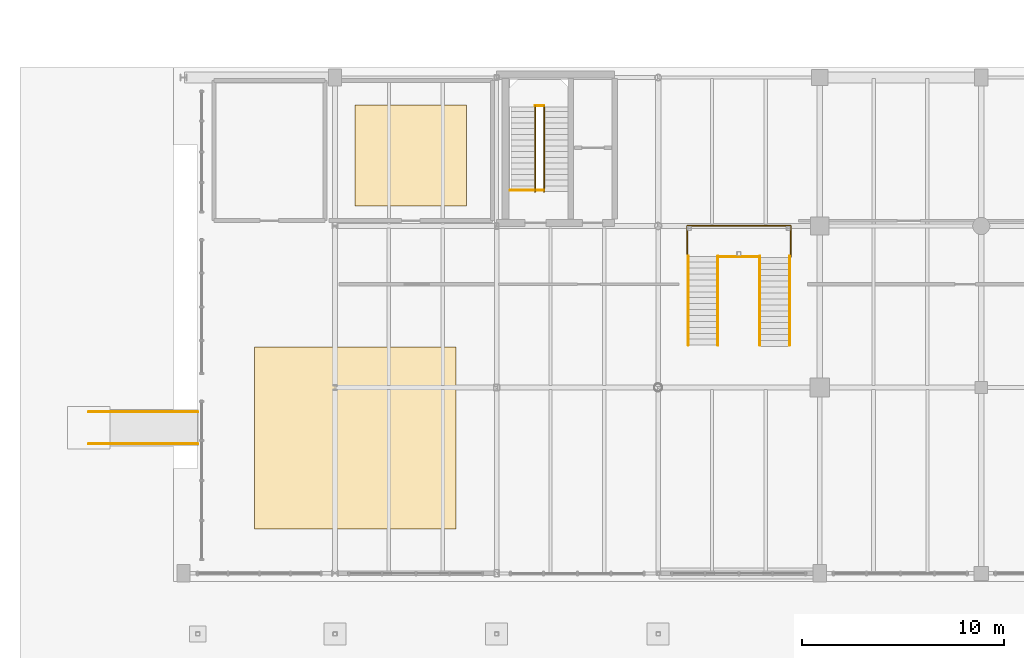
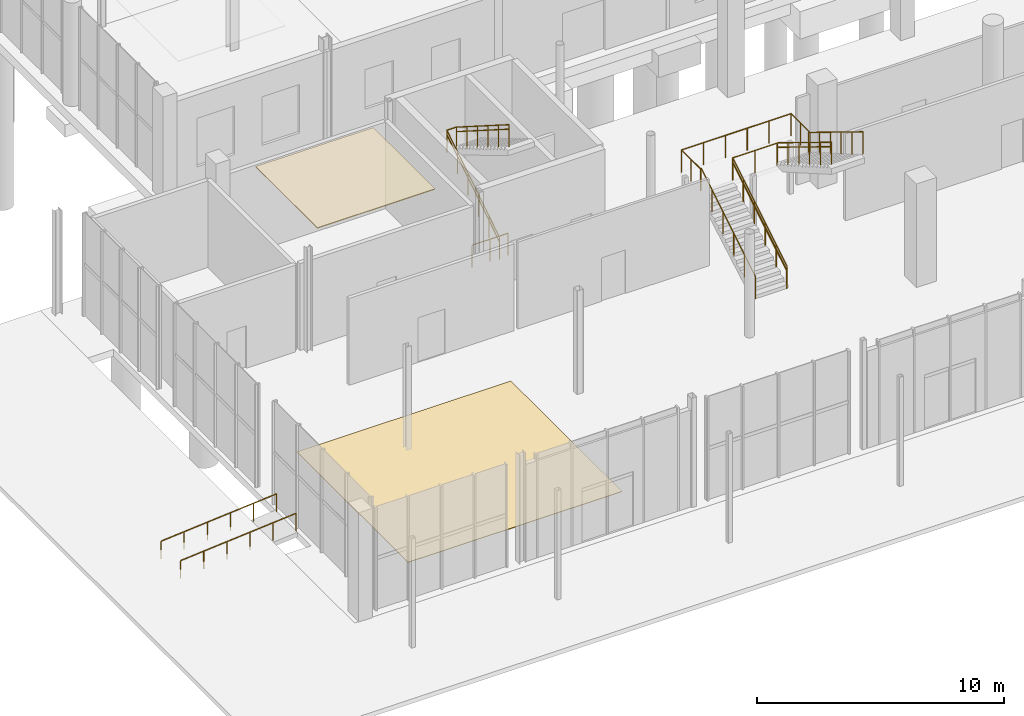
# One storey, part 78 of 87: 16 railings, 2 coverings.
"""IFC4 building model written with IfcOpenShell, lengths in metres."""

from ifc_helpers import new_model, si_unit, direction, frame, origin, origin_2d, place, context, subcontext, project, spatial, rectangle, circle, extrude, material, layer, layer_set, type_object, element, save


model = new_model("IFC4")

# Units and contexts
model_context = context("Model", 3, precision=1e-05, world=origin(), true_north=direction((0.0, 1.0)))
body_context = subcontext(model_context, "Body", "Model", "MODEL_VIEW")
ifc_project = project(units=[si_unit("LENGTHUNIT", "METRE"), si_unit("AREAUNIT", "SQUARE_METRE"), si_unit("VOLUMEUNIT", "CUBIC_METRE"), si_unit("PLANEANGLEUNIT", "RADIAN"), si_unit("MASSUNIT", "GRAM", prefix="KILO")], contexts=[model_context])

# Site, building, storey
site_placement = place(None, origin())
site = spatial("IfcSite", under=ifc_project, at=site_placement, CompositionType="ELEMENT")
building_placement = place(site_placement, origin())
building = spatial("IfcBuilding", under=site, at=building_placement, Name="Brisemont Oceanarium", CompositionType="ELEMENT")
storey_placement = place(building_placement, origin())
storey = spatial("IfcBuildingStorey", under=building, at=storey_placement, Name="L00", CompositionType="ELEMENT", Elevation=0.0)

# Coverings
ifc_material_1 = material(Name="Perforated Marine-Grade Acoustic Baffle Ceiling")
ifc_layer_1 = layer(ifc_material_1, 0.0400390625)
ifc_layer_set_1 = layer_set([ifc_layer_1], Name="Perforated Marine-Grade Acoustic Baffle Ceiling")
covering_type_1 = type_object("IfcCoveringType", Name="COV-CEIL-AC", PredefinedType="CEILING", material=ifc_layer_set_1)
covering_1_placement = place(storey_placement, frame((19.75, 27.5, 5.06005859375), z_axis=(0.0, 0.0, 1.0), x_axis=(1.0, 0.0, 0.0)))
element("IfcCovering", 1, at=covering_1_placement, inside=storey, type_object=covering_type_1, Name="Acoustic baffle ceiling CLG-V2-L00", PredefinedType="CEILING", context=body_context, shape_type="SweptSolid", body=[
    extrude(rectangle(XDim=5.5, YDim=5.0, at=origin_2d()), origin(), (0.0, 0.0, 1.0), 0.0400390625),
])
ifc_material_2 = material(Name="Epoxy-Bound Recycled Glass Marine Terrazzo", Category="glass")
ifc_layer_2 = layer(ifc_material_2, 0.02490234375)
ifc_layer_set_2 = layer_set([ifc_layer_2], Name="Epoxy-Bound Recycled Glass Marine Terrazzo")
covering_type_2 = type_object("IfcCoveringType", Name="COV-FLR-TER", PredefinedType="FLOORING", material=ifc_layer_set_2)
covering_2_placement = place(storey_placement, frame((17.0, 13.5, 0.0), z_axis=(0.0, 0.0, 1.0), x_axis=(1.0, 0.0, 0.0)))
element("IfcCovering", 2, at=covering_2_placement, inside=storey, type_object=covering_type_2, Name="Marine terrazzo flooring FLG-V2-FOYER", PredefinedType="FLOORING", context=body_context, shape_type="SweptSolid", body=[
    extrude(rectangle(XDim=10.0, YDim=9.0, at=origin_2d()), origin(), (0.0, 0.0, 1.0), 0.02490234375),
])

# Railings
ifc_material_3 = material(Name="Duplex Stainless Steel EN 1.4462", Category="steel")
railing_type_1 = type_object("IfcRailingType", Name="RLG-GUARD-1120", PredefinedType="GUARDRAIL", material=ifc_material_3)
railing_1_placement = place(storey_placement, frame((24.669921875, 25.760009765625, 0.0)))
element("IfcRailing", 3, at=railing_1_placement, inside=storey, type_object=railing_type_1, Name="ST-03 L00 landing edge guard", PredefinedType="GUARDRAIL", context=body_context, shape_type="SweptSolid", body=[
    extrude(circle(Radius=0.02392578125, at=origin_2d()), frame((0.0, 0.0, 1.09619140625), z_axis=(1.0, 0.0, 0.0), x_axis=(0.0, 1.0, 0.0)), (0.0, 0.0, 1.0), 1.68017578125),
    extrude(circle(Radius=0.02099609375, at=origin_2d()), origin(), (0.0, 0.0, 1.0), 1.072021484375),
    extrude(circle(Radius=0.02099609375, at=origin_2d()), frame((0.840087890625, 0.0, 0.0)), (0.0, 0.0, 1.0), 1.072021484375),
    extrude(circle(Radius=0.02099609375, at=origin_2d()), frame((1.68017578125, 0.0, 0.0)), (0.0, 0.0, 1.0), 1.072021484375),
])
railing_2_placement = place(storey_placement, frame((25.909912109375, 25.699951171875, 0.0)))
element("IfcRailing", 4, at=railing_2_placement, inside=storey, type_object=railing_type_1, Name="ST-03 L00 F1 well guard", PredefinedType="GUARDRAIL", context=body_context, shape_type="SweptSolid", body=[
    extrude(circle(Radius=0.02392578125, at=origin_2d()), frame((0.0, 0.0, 1.09619140625), z_axis=(0.0, 0.84407452441, 0.536225882666), x_axis=(-1.0, 0.0, 0.0)), (0.0, 0.0, 1.0), 5.03515625),
    extrude(circle(Radius=0.02099609375, at=origin_2d()), origin(), (0.0, 0.0, 1.0), 1.072021484375),
    extrude(circle(Radius=0.02099609375, at=origin_2d()), frame((0.0, 0.85009765625, 0.5400390625)), (0.0, 0.0, 1.0), 1.072021484375),
    extrude(circle(Radius=0.02099609375, at=origin_2d()), frame((0.0, 1.699951171875, 1.080078125)), (0.0, 0.0, 1.0), 1.072021484375),
    extrude(circle(Radius=0.02099609375, at=origin_2d()), frame((0.0, 2.550048828125, 1.619873046875)), (0.0, 0.0, 1.0), 1.072021484375),
    extrude(circle(Radius=0.02099609375, at=origin_2d()), frame((0.0, 3.39990234375, 2.159912109375)), (0.0, 0.0, 1.0), 1.072021484375),
    extrude(circle(Radius=0.02099609375, at=origin_2d()), frame((0.0, 4.25, 2.699951171875)), (0.0, 0.0, 1.0), 1.072021484375),
])
railing_3_placement = place(storey_placement, frame((26.35009765625, 29.949951171875, 2.699951171875)))
element("IfcRailing", 5, at=railing_3_placement, inside=storey, type_object=railing_type_1, Name="ST-03 L00 F2 well guard", PredefinedType="GUARDRAIL", context=body_context, shape_type="SweptSolid", body=[
    extrude(circle(Radius=0.02392578125, at=origin_2d()), frame((0.0, 0.0, 1.09619140625), z_axis=(0.0, -0.84407452441, 0.536225882666), x_axis=(1.0, 0.0, 0.0)), (0.0, 0.0, 1.0), 5.03515625),
    extrude(circle(Radius=0.02099609375, at=origin_2d()), origin(), (0.0, 0.0, 1.0), 1.072021484375),
    extrude(circle(Radius=0.02099609375, at=origin_2d()), frame((0.0, -0.85009765625, 0.5400390625)), (0.0, 0.0, 1.0), 1.072021484375),
    extrude(circle(Radius=0.02099609375, at=origin_2d()), frame((0.0, -1.699951171875, 1.080078125)), (0.0, 0.0, 1.0), 1.072021484375),
    extrude(circle(Radius=0.02099609375, at=origin_2d()), frame((0.0, -2.550048828125, 1.619873046875)), (0.0, 0.0, 1.0), 1.072021484375),
    extrude(circle(Radius=0.02099609375, at=origin_2d()), frame((0.0, -3.39990234375, 2.159912109375)), (0.0, 0.0, 1.0), 1.072021484375),
    extrude(circle(Radius=0.02099609375, at=origin_2d()), frame((0.0, -4.25, 2.699951171875)), (0.0, 0.0, 1.0), 1.072021484375),
])
railing_4_placement = place(storey_placement, frame((25.909912109375, 29.949951171875, 2.699951171875)))
element("IfcRailing", 6, at=railing_4_placement, inside=storey, type_object=railing_type_1, Name="ST-03 L00 landing slot guard", PredefinedType="GUARDRAIL", context=body_context, shape_type="SweptSolid", body=[
    extrude(circle(Radius=0.02392578125, at=origin_2d()), frame((0.0, 0.0, 1.09619140625), z_axis=(1.0, 0.0, 0.0), x_axis=(0.0, 1.0, 0.0)), (0.0, 0.0, 1.0), 0.440185546875),
    extrude(circle(Radius=0.02099609375, at=origin_2d()), origin(), (0.0, 0.0, 1.0), 1.072021484375),
    extrude(circle(Radius=0.02099609375, at=origin_2d()), frame((0.440185546875, 0.0, 0.0)), (0.0, 0.0, 1.0), 1.072021484375),
])
for number, where, name in (
    (7, (33.489990234375, 18.10009765625, 0.0), "ST-10 F1-OUT guard"),
    (8, (34.9599609375, 18.10009765625, 0.0), "ST-10 F1-IN guard"),
):
    element("IfcRailing", number, at=place(storey_placement, frame(where)), inside=storey, type_object=railing_type_1, Name=name, PredefinedType="GUARDRAIL", context=body_context, shape_type="SweptSolid", body=[
        extrude(circle(Radius=0.02392578125, at=origin_2d()), frame((0.0, 0.0, 1.09619140625), z_axis=(0.0, 0.852321770357, 0.52301778151), x_axis=(-1.0, 0.0, 0.0)), (0.0, 0.0, 1.0), 5.162353515625),
        extrude(circle(Radius=0.02099609375, at=origin_2d()), origin(), (0.0, 0.0, 1.0), 1.072021484375),
        extrude(circle(Radius=0.02099609375, at=origin_2d()), frame((0.0, 0.8798828125, 0.5400390625)), (0.0, 0.0, 1.0), 1.072021484375),
        extrude(circle(Radius=0.02099609375, at=origin_2d()), frame((0.0, 1.760009765625, 1.080078125)), (0.0, 0.0, 1.0), 1.072021484375),
        extrude(circle(Radius=0.02099609375, at=origin_2d()), frame((0.0, 2.639892578125, 1.619873046875)), (0.0, 0.0, 1.0), 1.072021484375),
        extrude(circle(Radius=0.02099609375, at=origin_2d()), frame((0.0, 3.52001953125, 2.159912109375)), (0.0, 0.0, 1.0), 1.072021484375),
        extrude(circle(Radius=0.02099609375, at=origin_2d()), frame((0.0, 4.39990234375, 2.699951171875)), (0.0, 0.0, 1.0), 1.072021484375),
    ])
for number, where, name in (
    (9, (37.0400390625, 22.5, 2.699951171875), "ST-10 F2-IN guard"),
    (10, (38.510009765625, 22.5, 2.699951171875), "ST-10 F2-OUT guard"),
):
    element("IfcRailing", number, at=place(storey_placement, frame(where)), inside=storey, type_object=railing_type_1, Name=name, PredefinedType="GUARDRAIL", context=body_context, shape_type="SweptSolid", body=[
        extrude(circle(Radius=0.02392578125, at=origin_2d()), frame((0.0, 0.0, 1.09619140625), z_axis=(0.0, -0.852321770357, 0.52301778151), x_axis=(1.0, 0.0, 0.0)), (0.0, 0.0, 1.0), 5.162353515625),
        extrude(circle(Radius=0.02099609375, at=origin_2d()), origin(), (0.0, 0.0, 1.0), 1.072021484375),
        extrude(circle(Radius=0.02099609375, at=origin_2d()), frame((0.0, -0.8798828125, 0.5400390625)), (0.0, 0.0, 1.0), 1.072021484375),
        extrude(circle(Radius=0.02099609375, at=origin_2d()), frame((0.0, -1.760009765625, 1.080078125)), (0.0, 0.0, 1.0), 1.072021484375),
        extrude(circle(Radius=0.02099609375, at=origin_2d()), frame((0.0, -2.639892578125, 1.619873046875)), (0.0, 0.0, 1.0), 1.072021484375),
        extrude(circle(Radius=0.02099609375, at=origin_2d()), frame((0.0, -3.52001953125, 2.159912109375)), (0.0, 0.0, 1.0), 1.072021484375),
        extrude(circle(Radius=0.02099609375, at=origin_2d()), frame((0.0, -4.39990234375, 2.699951171875)), (0.0, 0.0, 1.0), 1.072021484375),
    ])
railing_5_placement = place(storey_placement, frame((33.43994140625, 22.47998046875, 2.699951171875)))
element("IfcRailing", 11, at=railing_5_placement, inside=storey, type_object=railing_type_1, Name="ST-10 LND-U guard", PredefinedType="GUARDRAIL", context=body_context, shape_type="SweptSolid", body=[
    extrude(circle(Radius=0.02392578125, at=origin_2d()), frame((0.0, 0.0, 1.09619140625), z_axis=(0.0, 1.0, 0.0), x_axis=(-1.0, 0.0, 0.0)), (0.0, 0.0, 1.0), 1.52001953125),
    extrude(circle(Radius=0.02392578125, at=origin_2d()), frame((0.0, 1.52001953125, 1.09619140625), z_axis=(1.0, 0.0, 0.0), x_axis=(0.0, 1.0, 0.0)), (0.0, 0.0, 1.0), 5.1201171875),
    extrude(circle(Radius=0.02392578125, at=origin_2d()), frame((5.1201171875, 1.52001953125, 1.09619140625), z_axis=(0.0, -1.0, 0.0), x_axis=(1.0, 0.0, 0.0)), (0.0, 0.0, 1.0), 1.52001953125),
    extrude(circle(Radius=0.02099609375, at=origin_2d()), origin(), (0.0, 0.0, 1.0), 1.072021484375),
    extrude(circle(Radius=0.02099609375, at=origin_2d()), frame((0.0, 0.760009765625, 0.0)), (0.0, 0.0, 1.0), 1.072021484375),
    extrude(circle(Radius=0.02099609375, at=origin_2d()), frame((0.0, 1.52001953125, 0.0)), (0.0, 0.0, 1.0), 1.072021484375),
    extrude(circle(Radius=0.02099609375, at=origin_2d()), frame((1.02392578125, 1.52001953125, 0.0)), (0.0, 0.0, 1.0), 1.072021484375),
    extrude(circle(Radius=0.02099609375, at=origin_2d()), frame((2.048095703125, 1.52001953125, 0.0)), (0.0, 0.0, 1.0), 1.072021484375),
    extrude(circle(Radius=0.02099609375, at=origin_2d()), frame((3.072021484375, 1.52001953125, 0.0)), (0.0, 0.0, 1.0), 1.072021484375),
    extrude(circle(Radius=0.02099609375, at=origin_2d()), frame((4.09619140625, 1.52001953125, 0.0)), (0.0, 0.0, 1.0), 1.072021484375),
    extrude(circle(Radius=0.02099609375, at=origin_2d()), frame((5.1201171875, 1.52001953125, 0.0)), (0.0, 0.0, 1.0), 1.072021484375),
    extrude(circle(Radius=0.02099609375, at=origin_2d()), frame((5.1201171875, 0.760009765625, 0.0)), (0.0, 0.0, 1.0), 1.072021484375),
    extrude(circle(Radius=0.02099609375, at=origin_2d()), frame((5.1201171875, 0.0, 0.0)), (0.0, 0.0, 1.0), 1.072021484375),
])
railing_6_placement = place(storey_placement, frame((34.9599609375, 22.47998046875, 2.699951171875)))
element("IfcRailing", 12, at=railing_6_placement, inside=storey, type_object=railing_type_1, Name="ST-10 LND-SLOT guard", PredefinedType="GUARDRAIL", context=body_context, shape_type="SweptSolid", body=[
    extrude(circle(Radius=0.02392578125, at=origin_2d()), frame((0.0, 0.0, 1.09619140625), z_axis=(1.0, 0.0, 0.0), x_axis=(0.0, 1.0, 0.0)), (0.0, 0.0, 1.0), 2.080078125),
    extrude(circle(Radius=0.02099609375, at=origin_2d()), origin(), (0.0, 0.0, 1.0), 1.072021484375),
    extrude(circle(Radius=0.02099609375, at=origin_2d()), frame((1.0400390625, 0.0, 0.0)), (0.0, 0.0, 1.0), 1.072021484375),
    extrude(circle(Radius=0.02099609375, at=origin_2d()), frame((2.080078125, 0.0, 0.0)), (0.0, 0.0, 1.0), 1.072021484375),
])
ifc_material_4 = material(Name="Duplex Stainless Steel EN 1.4462", Category="steel")
railing_type_2 = type_object("IfcRailingType", Name="RLG-HAND-900", PredefinedType="HANDRAIL", material=ifc_material_4)
railing_7_placement = place(storey_placement, frame((25.909912109375, 25.699951171875, 0.0)))
element("IfcRailing", 13, at=railing_7_placement, inside=storey, type_object=railing_type_2, Name="ST-03 L00 F1 handrail", PredefinedType="HANDRAIL", context=body_context, shape_type="SweptSolid", body=[
    extrude(circle(Radius=0.02392578125, at=origin_2d()), frame((0.0, 0.0, 0.8759765625), z_axis=(0.0, 0.84407452441, 0.536225882666), x_axis=(-1.0, 0.0, 0.0)), (0.0, 0.0, 1.0), 5.03515625),
    extrude(circle(Radius=0.02099609375, at=origin_2d()), origin(), (0.0, 0.0, 1.0), 0.851806640625),
    extrude(circle(Radius=0.02099609375, at=origin_2d()), frame((0.0, 0.85009765625, 0.5400390625)), (0.0, 0.0, 1.0), 0.851806640625),
    extrude(circle(Radius=0.02099609375, at=origin_2d()), frame((0.0, 1.699951171875, 1.080078125)), (0.0, 0.0, 1.0), 0.851806640625),
    extrude(circle(Radius=0.02099609375, at=origin_2d()), frame((0.0, 2.550048828125, 1.619873046875)), (0.0, 0.0, 1.0), 0.851806640625),
    extrude(circle(Radius=0.02099609375, at=origin_2d()), frame((0.0, 3.39990234375, 2.159912109375)), (0.0, 0.0, 1.0), 0.851806640625),
    extrude(circle(Radius=0.02099609375, at=origin_2d()), frame((0.0, 4.25, 2.699951171875)), (0.0, 0.0, 1.0), 0.851806640625),
])
railing_8_placement = place(storey_placement, frame((26.35009765625, 29.949951171875, 2.699951171875)))
element("IfcRailing", 14, at=railing_8_placement, inside=storey, type_object=railing_type_2, Name="ST-03 L00 F2 handrail", PredefinedType="HANDRAIL", context=body_context, shape_type="SweptSolid", body=[
    extrude(circle(Radius=0.02392578125, at=origin_2d()), frame((0.0, 0.0, 0.8759765625), z_axis=(0.0, -0.84407452441, 0.536225882666), x_axis=(1.0, 0.0, 0.0)), (0.0, 0.0, 1.0), 5.03515625),
    extrude(circle(Radius=0.02099609375, at=origin_2d()), origin(), (0.0, 0.0, 1.0), 0.851806640625),
    extrude(circle(Radius=0.02099609375, at=origin_2d()), frame((0.0, -0.85009765625, 0.5400390625)), (0.0, 0.0, 1.0), 0.851806640625),
    extrude(circle(Radius=0.02099609375, at=origin_2d()), frame((0.0, -1.699951171875, 1.080078125)), (0.0, 0.0, 1.0), 0.851806640625),
    extrude(circle(Radius=0.02099609375, at=origin_2d()), frame((0.0, -2.550048828125, 1.619873046875)), (0.0, 0.0, 1.0), 0.851806640625),
    extrude(circle(Radius=0.02099609375, at=origin_2d()), frame((0.0, -3.39990234375, 2.159912109375)), (0.0, 0.0, 1.0), 0.851806640625),
    extrude(circle(Radius=0.02099609375, at=origin_2d()), frame((0.0, -4.25, 2.699951171875)), (0.0, 0.0, 1.0), 0.851806640625),
])
railing_9_placement = place(storey_placement, frame((34.9599609375, 18.10009765625, 0.0)))
element("IfcRailing", 15, at=railing_9_placement, inside=storey, type_object=railing_type_2, Name="ST-10 F1-IN handrail", PredefinedType="HANDRAIL", context=body_context, shape_type="SweptSolid", body=[
    extrude(circle(Radius=0.02392578125, at=origin_2d()), frame((0.0, 0.0, 0.8759765625), z_axis=(0.0, 0.852321770357, 0.52301778151), x_axis=(-1.0, 0.0, 0.0)), (0.0, 0.0, 1.0), 5.162353515625),
    extrude(circle(Radius=0.02099609375, at=origin_2d()), origin(), (0.0, 0.0, 1.0), 0.851806640625),
    extrude(circle(Radius=0.02099609375, at=origin_2d()), frame((0.0, 0.8798828125, 0.5400390625)), (0.0, 0.0, 1.0), 0.851806640625),
    extrude(circle(Radius=0.02099609375, at=origin_2d()), frame((0.0, 1.760009765625, 1.080078125)), (0.0, 0.0, 1.0), 0.851806640625),
    extrude(circle(Radius=0.02099609375, at=origin_2d()), frame((0.0, 2.639892578125, 1.619873046875)), (0.0, 0.0, 1.0), 0.851806640625),
    extrude(circle(Radius=0.02099609375, at=origin_2d()), frame((0.0, 3.52001953125, 2.159912109375)), (0.0, 0.0, 1.0), 0.851806640625),
    extrude(circle(Radius=0.02099609375, at=origin_2d()), frame((0.0, 4.39990234375, 2.699951171875)), (0.0, 0.0, 1.0), 0.851806640625),
])
railing_10_placement = place(storey_placement, frame((37.0400390625, 22.5, 2.699951171875)))
element("IfcRailing", 16, at=railing_10_placement, inside=storey, type_object=railing_type_2, Name="ST-10 F2-IN handrail", PredefinedType="HANDRAIL", context=body_context, shape_type="SweptSolid", body=[
    extrude(circle(Radius=0.02392578125, at=origin_2d()), frame((0.0, 0.0, 0.8759765625), z_axis=(0.0, -0.852321770357, 0.52301778151), x_axis=(1.0, 0.0, 0.0)), (0.0, 0.0, 1.0), 5.162353515625),
    extrude(circle(Radius=0.02099609375, at=origin_2d()), origin(), (0.0, 0.0, 1.0), 0.851806640625),
    extrude(circle(Radius=0.02099609375, at=origin_2d()), frame((0.0, -0.8798828125, 0.5400390625)), (0.0, 0.0, 1.0), 0.851806640625),
    extrude(circle(Radius=0.02099609375, at=origin_2d()), frame((0.0, -1.760009765625, 1.080078125)), (0.0, 0.0, 1.0), 0.851806640625),
    extrude(circle(Radius=0.02099609375, at=origin_2d()), frame((0.0, -2.639892578125, 1.619873046875)), (0.0, 0.0, 1.0), 0.851806640625),
    extrude(circle(Radius=0.02099609375, at=origin_2d()), frame((0.0, -3.52001953125, 2.159912109375)), (0.0, 0.0, 1.0), 0.851806640625),
    extrude(circle(Radius=0.02099609375, at=origin_2d()), frame((0.0, -4.39990234375, 2.699951171875)), (0.0, 0.0, 1.0), 0.851806640625),
])
for number, where, name in (
    (17, (3.800048828125, 13.2080078125, -0.449951171875), "Ramp RMP-01 handrail L"),
    (18, (3.800048828125, 14.7919921875, -0.449951171875), "Ramp RMP-01 handrail R"),
):
    element("IfcRailing", number, at=place(storey_placement, frame(where)), inside=storey, type_object=railing_type_2, Name=name, PredefinedType="HANDRAIL", context=body_context, shape_type="SweptSolid", body=[
        extrude(circle(Radius=0.02392578125, at=origin_2d()), frame((0.0, 0.0, 0.8759765625), z_axis=(0.996546379678, 0.0, 0.083038022323), x_axis=(0.0, 1.0, 0.0)), (0.0, 0.0, 1.0), 5.418701171875),
        extrude(circle(Radius=0.02099609375, at=origin_2d()), origin(), (0.0, 0.0, 1.0), 0.851806640625),
        extrude(circle(Radius=0.02099609375, at=origin_2d()), frame((1.080078125, 0.0, 0.090087890625)), (0.0, 0.0, 1.0), 0.851806640625),
        extrude(circle(Radius=0.02099609375, at=origin_2d()), frame((2.159912109375, 0.0, 0.179931640625)), (0.0, 0.0, 1.0), 0.851806640625),
        extrude(circle(Radius=0.02099609375, at=origin_2d()), frame((3.239990234375, 0.0, 0.27001953125)), (0.0, 0.0, 1.0), 0.851806640625),
        extrude(circle(Radius=0.02099609375, at=origin_2d()), frame((4.31982421875, 0.0, 0.35986328125)), (0.0, 0.0, 1.0), 0.851806640625),
        extrude(circle(Radius=0.02099609375, at=origin_2d()), frame((5.39990234375, 0.0, 0.449951171875)), (0.0, 0.0, 1.0), 0.851806640625),
    ])

save(model, "model.ifc")
